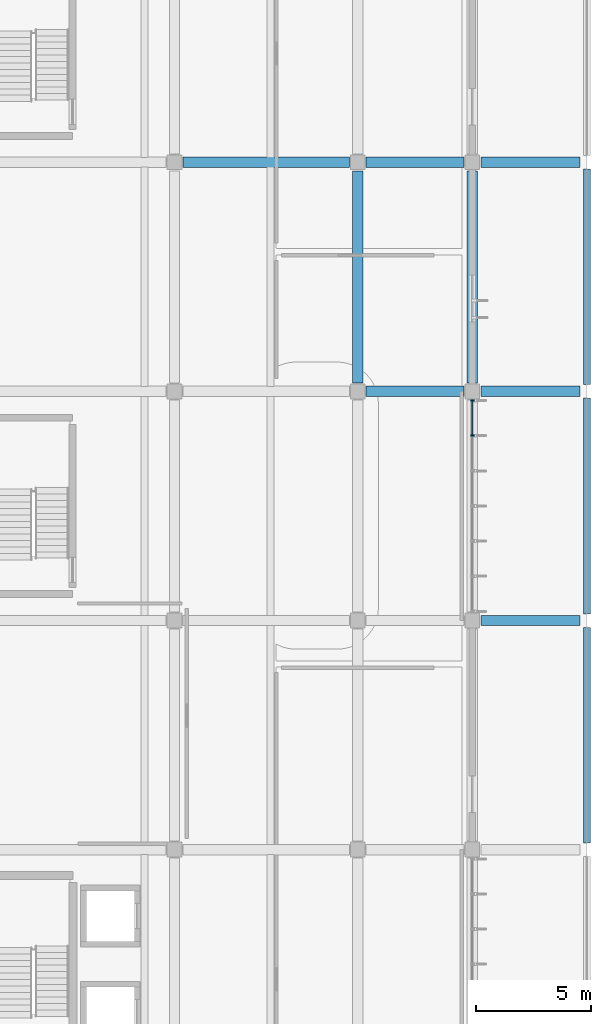
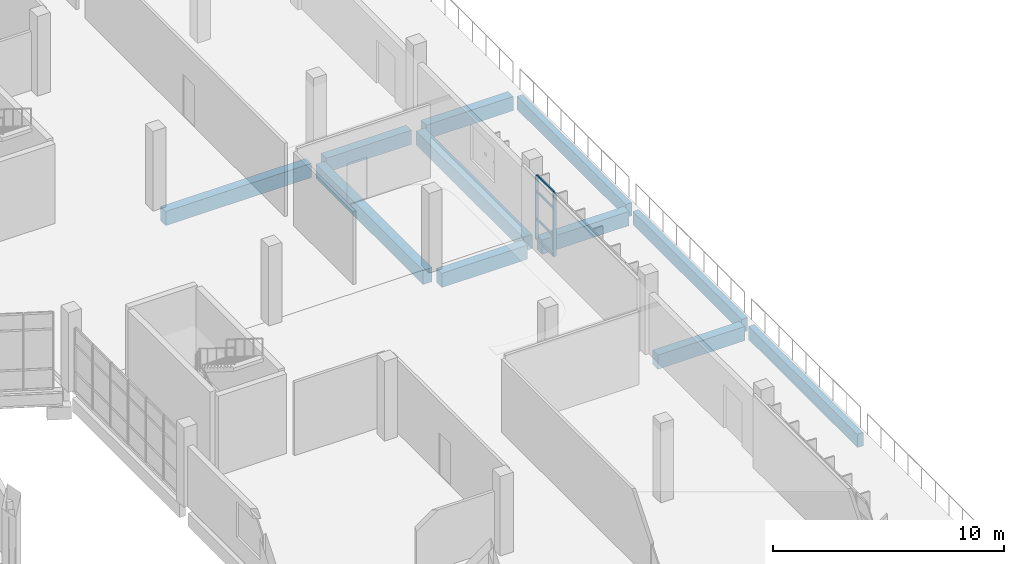
# One storey, part 59 of 142: 11 beams, 6 members, 1 element without a shape of its own.
"""IFC4 building model written with IfcOpenShell, lengths in metres."""

from ifc_helpers import new_model, si_unit, direction, frame, origin, origin_2d, place, context, subcontext, project, spatial, rectangle, extrude, material, layer, layer_set, material_profile, profile_set, type_object, element, aggregate, save


model = new_model("IFC4")

# Units and contexts
model_context = context("Model", 3, precision=1e-05, world=origin(), true_north=direction((0.0, 1.0)))
body_context = subcontext(model_context, "Body", "Model", "MODEL_VIEW")
ifc_project = project(units=[si_unit("LENGTHUNIT", "METRE"), si_unit("AREAUNIT", "SQUARE_METRE"), si_unit("VOLUMEUNIT", "CUBIC_METRE"), si_unit("PLANEANGLEUNIT", "RADIAN"), si_unit("MASSUNIT", "GRAM", prefix="KILO")], contexts=[model_context])

# Site, building, storey
site_placement = place(None, origin())
site = spatial("IfcSite", under=ifc_project, at=site_placement, CompositionType="ELEMENT")
building_placement = place(site_placement, origin())
building = spatial("IfcBuilding", under=site, at=building_placement, Name="Corvandel Quay Wholesale Market", CompositionType="ELEMENT")
storey_placement = place(building_placement, frame((0.0, 0.0, 10.800048828125)))
storey = spatial("IfcBuildingStorey", under=building, at=storey_placement, Name="L02", CompositionType="ELEMENT", Elevation=10.800048828125)

# Curtain wall, members
ifc_material_1 = material(Name="Bronze anodised aluminium and low-E insulated glazing", Category="aluminium")
ifc_layer = layer(ifc_material_1, 0.162109375)
ifc_layer_set = layer_set([ifc_layer], Name="Bronze anodised aluminium and low-E insulated glazing")
curtain_wall_type = type_object("IfcCurtainWallType", Name="Stick Curtain Wall System CW16 H4440", PredefinedType="NOTDEFINED", material=ifc_layer_set)
curtain_wall_placement = place(storey_placement, origin())
curtain_wall = element("IfcCurtainWall", 1, at=curtain_wall_placement, inside=storey, type_object=curtain_wall_type, Name="Curtain Wall CW-0158", PredefinedType="NOTDEFINED")
ifc_material_2 = material(Name="Anodised aluminium 6063-T6", Category="aluminium")
ifc_material_profile_1 = material_profile(ifc_material_2, rectangle(XDim=0.06494140625, YDim=0.14990234375, at=origin_2d()), Name="ALU-MUL-65x150")
ifc_profile_set_1 = profile_set([ifc_material_profile_1], Name="Anodised aluminium 6063-T6")
member_type_1 = type_object("IfcMemberType", Name="Curtain Wall Mullion ML02 65x150", PredefinedType="MULLION", material=ifc_profile_set_1)
member_1_placement = place(storey_placement, frame((243.0, 48.066650390625, 0.0), z_axis=(0.0, 0.0, 1.0), x_axis=(0.0, 1.0, 0.0)))
member_1 = element("IfcMember", 2, at=member_1_placement, type_object=member_type_1, Name="Mullion CW-0158-M05", PredefinedType="MULLION", context=body_context, shape_type="SweptSolid", body=[
    extrude(rectangle(XDim=0.06494140625, YDim=0.14990234375, at=origin_2d()), origin(), (0.0, 0.0, 1.0), 3.349853515625),
])
member_2_placement = place(storey_placement, frame((243.0, 49.60009765625, 0.0), z_axis=(0.0, 0.0, 1.0), x_axis=(0.0, 1.0, 0.0)))
member_2 = element("IfcMember", 3, at=member_2_placement, type_object=member_type_1, Name="Mullion CW-0158-M06", PredefinedType="MULLION", context=body_context, shape_type="SweptSolid", body=[
    extrude(rectangle(XDim=0.06494140625, YDim=0.14990234375, at=origin_2d()), origin(), (0.0, 0.0, 1.0), 3.349853515625),
])
ifc_material_profile_2 = material_profile(ifc_material_2, rectangle(XDim=0.06005859375, YDim=0.110107421875, at=origin_2d()), Name="ALU-TRN-60x110")
ifc_profile_set_2 = profile_set([ifc_material_profile_2], Name="Anodised aluminium 6063-T6")
member_type_2 = type_object("IfcMemberType", Name="Curtain Wall Transom TR02 60x110", PredefinedType="USERDEFINED", material=ifc_profile_set_2)
member_3_placement = place(storey_placement, frame((243.0, 48.09912109375, 0.0), z_axis=(0.0, 1.0, 0.0), x_axis=(-1.0, 0.0, 0.0)))
member_3 = element("IfcMember", 4, at=member_3_placement, type_object=member_type_2, Name="Transom CW-0158-T05-0", ObjectType="TRANSOM", PredefinedType="USERDEFINED", context=body_context, shape_type="SweptSolid", body=[
    extrude(rectangle(XDim=0.06005859375, YDim=0.110107421875, at=origin_2d()), origin(), (0.0, 0.0, 1.0), 1.46826171875),
])
member_4_placement = place(storey_placement, frame((243.0, 48.09912109375, 1.050048828125), z_axis=(0.0, 1.0, 0.0), x_axis=(-1.0, 0.0, 0.0)))
member_4 = element("IfcMember", 5, at=member_4_placement, type_object=member_type_2, Name="Transom CW-0158-T05-1", ObjectType="TRANSOM", PredefinedType="USERDEFINED", context=body_context, shape_type="SweptSolid", body=[
    extrude(rectangle(XDim=0.06005859375, YDim=0.110107421875, at=origin_2d()), origin(), (0.0, 0.0, 1.0), 1.46826171875),
])
member_5_placement = place(storey_placement, frame((243.0, 48.09912109375, 2.5), z_axis=(0.0, 1.0, 0.0), x_axis=(-1.0, 0.0, 0.0)))
member_5 = element("IfcMember", 6, at=member_5_placement, type_object=member_type_2, Name="Transom CW-0158-T05-2", ObjectType="TRANSOM", PredefinedType="USERDEFINED", context=body_context, shape_type="SweptSolid", body=[
    extrude(rectangle(XDim=0.06005859375, YDim=0.110107421875, at=origin_2d()), origin(), (0.0, 0.0, 1.0), 1.46826171875),
])
member_6_placement = place(storey_placement, frame((243.0, 48.09912109375, 3.349853515625), z_axis=(0.0, 1.0, 0.0), x_axis=(-1.0, 0.0, 0.0)))
member_6 = element("IfcMember", 7, at=member_6_placement, type_object=member_type_2, Name="Transom CW-0158-T05-3", ObjectType="TRANSOM", PredefinedType="USERDEFINED", context=body_context, shape_type="SweptSolid", body=[
    extrude(rectangle(XDim=0.06005859375, YDim=0.110107421875, at=origin_2d()), origin(), (0.0, 0.0, 1.0), 1.46826171875),
])
aggregate(curtain_wall, [member_1, member_2, member_3, member_4, member_5, member_6])

# Beams
ifc_material_3 = material(Name="Precast concrete C45/55", Category="concrete")
ifc_material_profile_3 = material_profile(ifc_material_3, rectangle(XDim=0.300048828125, YDim=0.699951171875, at=origin_2d()), Name="PC-SPN-300x700")
ifc_profile_set_3 = profile_set([ifc_material_profile_3], Name="Precast concrete C45/55")
beam_type_1 = type_object("IfcBeamType", Name="Terrace Edge Spandrel SP03 300x700", PredefinedType="SPANDREL", material=ifc_profile_set_3)
for number, where, z_axis, x_axis, name in (
    (8, (248.0, 30.294921875, -0.670166015625), (0.0, 1.0, 0.0), (-1.0, 0.0, 0.0), "Beam BM-1587"),
    (9, (248.0, 40.294921875, -0.670166015625), (0.0, 1.0, 0.0), (-1.0, 0.0, 0.0), "Beam BM-1588"),
    (10, (248.0, 50.294921875, -0.670166015625), (0.0, 1.0, 0.0), (-1.0, 0.0, 0.0), "Beam BM-1589"),
):
    element("IfcBeam", number, at=place(storey_placement, frame(where, z_axis=z_axis, x_axis=x_axis)), inside=storey, type_object=beam_type_1, Name=name, PredefinedType="SPANDREL", context=body_context, shape_type="SweptSolid", body=[
        extrude(rectangle(XDim=0.300048828125, YDim=0.699951171875, at=origin_2d()), origin(), (0.0, 0.0, 1.0), 9.41015625),
    ])
ifc_material_profile_4 = material_profile(ifc_material_3, rectangle(XDim=0.449951171875, YDim=0.75, at=origin_2d()), Name="PC-GIR-450x750")
ifc_profile_set_4 = profile_set([ifc_material_profile_4], Name="Precast concrete C45/55")
beam_type_2 = type_object("IfcBeamType", Name="Waterfront Office Girder G06 450x750", PredefinedType="USERDEFINED", material=ifc_profile_set_4)
beam_1_placement = place(storey_placement, frame((243.3701171875, 40.0, -0.695068359375), z_axis=(1.0, 0.0, 0.0), x_axis=(0.0, 1.0, 0.0)))
element("IfcBeam", 11, at=beam_1_placement, inside=storey, type_object=beam_type_2, Name="Beam BM-1524", ObjectType="GIRDER", PredefinedType="USERDEFINED", context=body_context, shape_type="SweptSolid", body=[
    extrude(rectangle(XDim=0.449951171875, YDim=0.75, at=origin_2d()), origin(), (0.0, 0.0, 1.0), 4.3349609375),
])
beam_2_placement = place(storey_placement, frame((238.3701171875, 50.0, -0.695068359375), z_axis=(1.0, 0.0, 0.0), x_axis=(0.0, 1.0, 0.0)))
element("IfcBeam", 12, at=beam_2_placement, inside=storey, type_object=beam_type_2, Name="Beam BM-1527", ObjectType="GIRDER", PredefinedType="USERDEFINED", context=body_context, shape_type="SweptSolid", body=[
    extrude(rectangle(XDim=0.449951171875, YDim=0.75, at=origin_2d()), origin(), (0.0, 0.0, 1.0), 4.259765625),
])
beam_3_placement = place(storey_placement, frame((243.3701171875, 50.0, -0.695068359375), z_axis=(1.0, 0.0, 0.0), x_axis=(0.0, 1.0, 0.0)))
element("IfcBeam", 13, at=beam_3_placement, inside=storey, type_object=beam_type_2, Name="Beam BM-1528", ObjectType="GIRDER", PredefinedType="USERDEFINED", context=body_context, shape_type="SweptSolid", body=[
    extrude(rectangle(XDim=0.449951171875, YDim=0.75, at=origin_2d()), origin(), (0.0, 0.0, 1.0), 4.3349609375),
])
beam_4_placement = place(storey_placement, frame((230.3701171875, 60.0, -0.695068359375), z_axis=(1.0, 0.0, 0.0), x_axis=(0.0, 1.0, 0.0)))
element("IfcBeam", 14, at=beam_4_placement, inside=storey, type_object=beam_type_2, Name="Beam BM-1530", ObjectType="GIRDER", PredefinedType="USERDEFINED", context=body_context, shape_type="SweptSolid", body=[
    extrude(rectangle(XDim=0.449951171875, YDim=0.75, at=origin_2d()), origin(), (0.0, 0.0, 1.0), 7.259765625),
])
beam_5_placement = place(storey_placement, frame((238.3701171875, 60.0, -0.695068359375), z_axis=(1.0, 0.0, 0.0), x_axis=(0.0, 1.0, 0.0)))
element("IfcBeam", 15, at=beam_5_placement, inside=storey, type_object=beam_type_2, Name="Beam BM-1531", ObjectType="GIRDER", PredefinedType="USERDEFINED", context=body_context, shape_type="SweptSolid", body=[
    extrude(rectangle(XDim=0.449951171875, YDim=0.75, at=origin_2d()), origin(), (0.0, 0.0, 1.0), 4.259765625),
])
beam_6_placement = place(storey_placement, frame((243.3701171875, 60.0, -0.695068359375), z_axis=(1.0, 0.0, 0.0), x_axis=(0.0, 1.0, 0.0)))
element("IfcBeam", 16, at=beam_6_placement, inside=storey, type_object=beam_type_2, Name="Beam BM-1532", ObjectType="GIRDER", PredefinedType="USERDEFINED", context=body_context, shape_type="SweptSolid", body=[
    extrude(rectangle(XDim=0.449951171875, YDim=0.75, at=origin_2d()), origin(), (0.0, 0.0, 1.0), 4.3349609375),
])
for number, where, z_axis, x_axis, name in (
    (17, (238.0, 50.3701171875, -0.695068359375), (0.0, 1.0, 0.0), (-1.0, 0.0, 0.0), "Beam BM-1571"),
    (18, (243.0, 50.3701171875, -0.695068359375), (0.0, 1.0, 0.0), (-1.0, 0.0, 0.0), "Beam BM-1580"),
):
    element("IfcBeam", number, at=place(storey_placement, frame(where, z_axis=z_axis, x_axis=x_axis)), inside=storey, type_object=beam_type_2, Name=name, ObjectType="GIRDER", PredefinedType="USERDEFINED", context=body_context, shape_type="SweptSolid", body=[
        extrude(rectangle(XDim=0.449951171875, YDim=0.75, at=origin_2d()), origin(), (0.0, 0.0, 1.0), 9.259765625),
    ])

save(model, "model.ifc")
